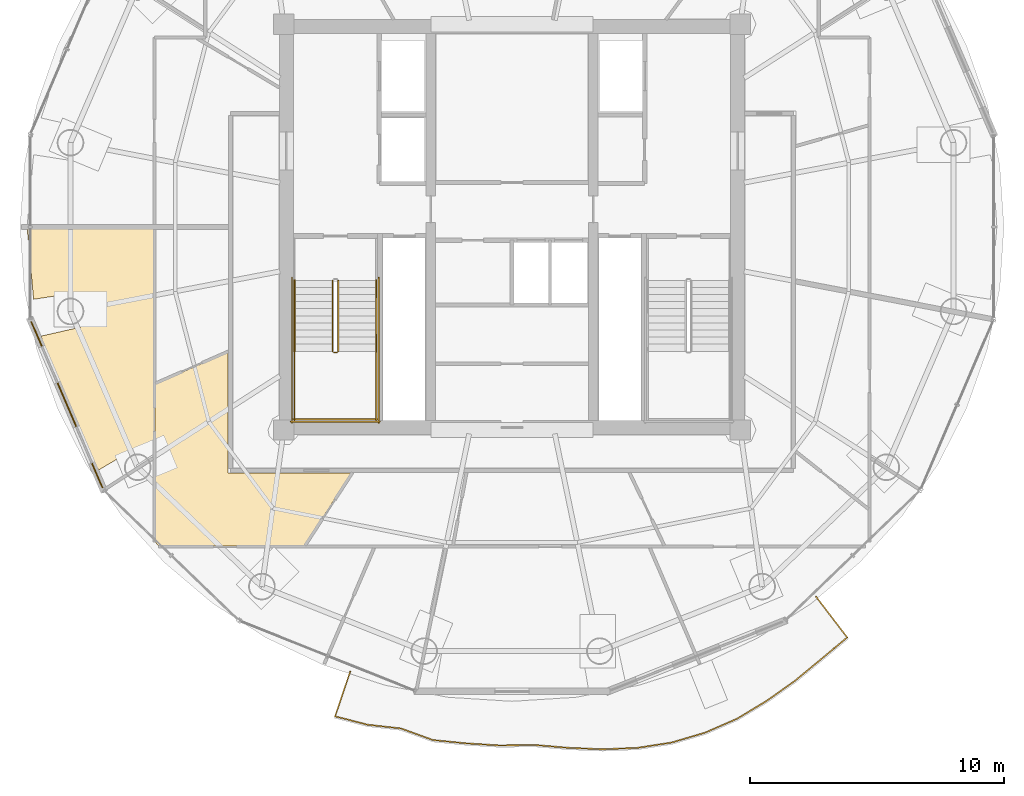
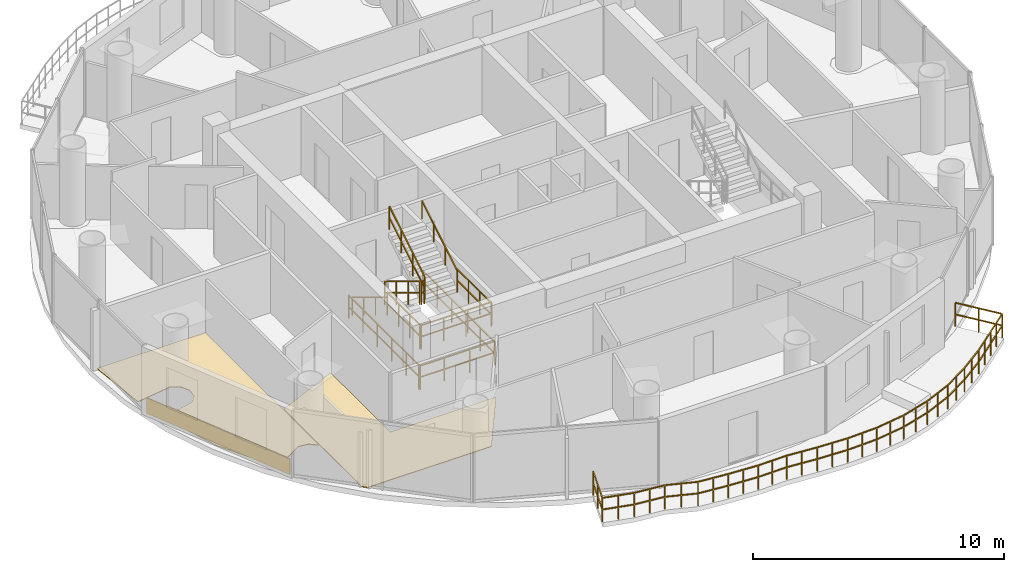
# One storey, part 21 of 23: 12 railings, 3 coverings.
"""IFC4 building model written with IfcOpenShell, lengths in metres."""

from ifc_helpers import new_model, si_unit, direction, frame, origin, origin_2d, place, context, subcontext, project, spatial, polyline, rectangle, outline, extrude, source, transform, mapped, material, layer, layer_set, type_object, element, save


model = new_model("IFC4")

# Units and contexts
model_context = context("Model", 3, precision=1e-05, world=origin(), true_north=direction((-0.2419218956, 0.970295726276)))
body_context = subcontext(model_context, "Body", "Model", "MODEL_VIEW")
ifc_project = project(units=[si_unit("LENGTHUNIT", "METRE"), si_unit("AREAUNIT", "SQUARE_METRE"), si_unit("VOLUMEUNIT", "CUBIC_METRE"), si_unit("PLANEANGLEUNIT", "RADIAN"), si_unit("MASSUNIT", "GRAM", prefix="KILO")], contexts=[model_context])

# Site, building, storey
site_placement = place(None, origin())
site = spatial("IfcSite", under=ifc_project, at=site_placement, CompositionType="ELEMENT")
building_placement = place(site_placement, origin())
building = spatial("IfcBuilding", under=site, at=building_placement, Name="Cobrevalo Terracotta Tower", CompositionType="ELEMENT")
storey_placement = place(building_placement, frame((0.0, 0.0, 296.949951171875)))
storey = spatial("IfcBuildingStorey", under=building, at=storey_placement, Name="L78", CompositionType="ELEMENT", Elevation=296.949951171875)

# Railing
ifc_material_1 = material(Name="Laminated structural glass and stainless steel", Category="steel")
railing_type_1 = type_object("IfcRailingType", Name="Balcony lobe structural glass & terracotta-cap balustrade 1180 mm", PredefinedType="BALUSTRADE", material=ifc_material_1)
railing_1_placement = place(storey_placement, frame((31.62109375, 9.276123046875, 0.0)))
element("IfcRailing", 1, at=railing_1_placement, inside=storey, type_object=railing_type_1, Name="L78 spiralling balcony lobe balustrade 2", PredefinedType="BALUSTRADE", context=body_context, shape_type="SweptSolid", body=[
    extrude(rectangle(XDim=0.048095703125, YDim=0.048095703125, at=origin_2d()), frame((0.0, 0.0, 1.15576171875), z_axis=(-0.320500509252, -0.947248343134, 0.0), x_axis=(0.947248343134, -0.320500509252, 0.0)), (0.0, 0.0, 1.0), 1.866943359375),
    extrude(rectangle(XDim=0.048095703125, YDim=0.048095703125, at=origin_2d()), frame((0.0, 0.0, 0.58984375), z_axis=(-0.320500509252, -0.947248343134, 0.0), x_axis=(0.947248343134, -0.320500509252, 0.0)), (0.0, 0.0, 1.0), 1.866943359375),
    extrude(rectangle(XDim=0.048095703125, YDim=0.048095703125, at=origin_2d()), frame((-0.598388671875, -1.7685546875, 1.15576171875), z_axis=(0.968112979066, -0.250513991153, 0.0), x_axis=(0.250513991153, 0.968112979066, 0.0)), (0.0, 0.0, 1.0), 1.323486328125),
    extrude(rectangle(XDim=0.048095703125, YDim=0.048095703125, at=origin_2d()), frame((-0.598388671875, -1.7685546875, 0.58984375), z_axis=(0.968112979066, -0.250513991153, 0.0), x_axis=(0.250513991153, 0.968112979066, 0.0)), (0.0, 0.0, 1.0), 1.323486328125),
    extrude(rectangle(XDim=0.048095703125, YDim=0.048095703125, at=origin_2d()), frame((0.682861328125, -2.10009765625, 1.15576171875), z_axis=(0.993777759576, -0.111381167941, 0.0), x_axis=(0.111381167941, 0.993777759576, 0.0)), (0.0, 0.0, 1.0), 1.326171875),
    extrude(rectangle(XDim=0.048095703125, YDim=0.048095703125, at=origin_2d()), frame((0.682861328125, -2.10009765625, 0.58984375), z_axis=(0.993777759576, -0.111381167941, 0.0), x_axis=(0.111381167941, 0.993777759576, 0.0)), (0.0, 0.0, 1.0), 1.326171875),
    extrude(rectangle(XDim=0.048095703125, YDim=0.048095703125, at=origin_2d()), frame((2.000732421875, -2.247802734375, 1.15576171875), z_axis=(0.940265849956, -0.340441083605, 0.0), x_axis=(0.340441083605, 0.940265849956, 0.0)), (0.0, 0.0, 1.0), 1.34033203125),
    extrude(rectangle(XDim=0.048095703125, YDim=0.048095703125, at=origin_2d()), frame((2.000732421875, -2.247802734375, 0.58984375), z_axis=(0.940265849956, -0.340441083605, 0.0), x_axis=(0.340441083605, 0.940265849956, 0.0)), (0.0, 0.0, 1.0), 1.34033203125),
    extrude(rectangle(XDim=0.048095703125, YDim=0.048095703125, at=origin_2d()), frame((3.260986328125, -2.7041015625, 1.15576171875), z_axis=(0.995062681065, -0.099248479847, 0.0), x_axis=(0.099248479847, 0.995062681065, 0.0)), (0.0, 0.0, 1.0), 1.325927734375),
    extrude(rectangle(XDim=0.048095703125, YDim=0.048095703125, at=origin_2d()), frame((3.260986328125, -2.7041015625, 0.58984375), z_axis=(0.995062681065, -0.099248479847, 0.0), x_axis=(0.099248479847, 0.995062681065, 0.0)), (0.0, 0.0, 1.0), 1.325927734375),
    extrude(rectangle(XDim=0.048095703125, YDim=0.048095703125, at=origin_2d()), frame((4.580322265625, -2.835693359375, 1.15576171875), z_axis=(0.998068281125, -0.06212653389, 0.0), x_axis=(0.06212653389, 0.998068281125, 0.0)), (0.0, 0.0, 1.0), 1.328369140625),
    extrude(rectangle(XDim=0.048095703125, YDim=0.048095703125, at=origin_2d()), frame((4.580322265625, -2.835693359375, 0.58984375), z_axis=(0.998068281125, -0.06212653389, 0.0), x_axis=(0.06212653389, 0.998068281125, 0.0)), (0.0, 0.0, 1.0), 1.328369140625),
    extrude(rectangle(XDim=0.048095703125, YDim=0.048095703125, at=origin_2d()), frame((5.906005859375, -2.918212890625, 1.15576171875), z_axis=(0.99985019426, 0.017308640564, 0.0), x_axis=(-0.017308640564, 0.99985019426, 0.0)), (0.0, 0.0, 1.0), 1.325927734375),
    extrude(rectangle(XDim=0.048095703125, YDim=0.048095703125, at=origin_2d()), frame((5.906005859375, -2.918212890625, 0.58984375), z_axis=(0.99985019426, 0.017308640564, 0.0), x_axis=(-0.017308640564, 0.99985019426, 0.0)), (0.0, 0.0, 1.0), 1.325927734375),
    extrude(rectangle(XDim=0.048095703125, YDim=0.048095703125, at=origin_2d()), frame((7.231689453125, -2.895263671875, 1.15576171875), z_axis=(0.996398332235, -0.084796011217, 0.0), x_axis=(0.084796011217, 0.996398332235, 0.0)), (0.0, 0.0, 1.0), 1.350341796875),
    extrude(rectangle(XDim=0.048095703125, YDim=0.048095703125, at=origin_2d()), frame((7.231689453125, -2.895263671875, 0.58984375), z_axis=(0.996398332235, -0.084796011217, 0.0), x_axis=(0.084796011217, 0.996398332235, 0.0)), (0.0, 0.0, 1.0), 1.350341796875),
    extrude(rectangle(XDim=0.048095703125, YDim=0.048095703125, at=origin_2d()), frame((8.5771484375, -3.009765625, 1.15576171875), z_axis=(0.999077969769, -0.04293262538, 0.0), x_axis=(0.04293262538, 0.999077969769, 0.0)), (0.0, 0.0, 1.0), 1.36474609375),
    extrude(rectangle(XDim=0.048095703125, YDim=0.048095703125, at=origin_2d()), frame((8.5771484375, -3.009765625, 0.58984375), z_axis=(0.999077969769, -0.04293262538, 0.0), x_axis=(0.04293262538, 0.999077969769, 0.0)), (0.0, 0.0, 1.0), 1.36474609375),
    extrude(rectangle(XDim=0.048095703125, YDim=0.048095703125, at=origin_2d()), frame((9.940673828125, -3.068359375, 1.15576171875), z_axis=(0.999209721933, 0.03974835335, 0.0), x_axis=(-0.03974835335, 0.999209721933, 0.0)), (0.0, 0.0, 1.0), 1.375732421875),
    extrude(rectangle(XDim=0.048095703125, YDim=0.048095703125, at=origin_2d()), frame((9.940673828125, -3.068359375, 0.58984375), z_axis=(0.999209721933, 0.03974835335, 0.0), x_axis=(-0.03974835335, 0.999209721933, 0.0)), (0.0, 0.0, 1.0), 1.375732421875),
    extrude(rectangle(XDim=0.048095703125, YDim=0.048095703125, at=origin_2d()), frame((11.3154296875, -3.013671875, 1.15576171875), z_axis=(0.988163219932, 0.153406162763, 0.0), x_axis=(-0.153406162763, 0.988163219932, 0.0)), (0.0, 0.0, 1.0), 1.37353515625),
    extrude(rectangle(XDim=0.048095703125, YDim=0.048095703125, at=origin_2d()), frame((11.3154296875, -3.013671875, 0.58984375), z_axis=(0.988163219932, 0.153406162763, 0.0), x_axis=(-0.153406162763, 0.988163219932, 0.0)), (0.0, 0.0, 1.0), 1.37353515625),
    extrude(rectangle(XDim=0.048095703125, YDim=0.048095703125, at=origin_2d()), frame((12.672607421875, -2.802978515625, 1.15576171875), z_axis=(0.958996855292, 0.283416710059, 0.0), x_axis=(-0.283416710059, 0.958996855292, 0.0)), (0.0, 0.0, 1.0), 1.3740234375),
    extrude(rectangle(XDim=0.048095703125, YDim=0.048095703125, at=origin_2d()), frame((12.672607421875, -2.802978515625, 0.58984375), z_axis=(0.958996855292, 0.283416710059, 0.0), x_axis=(-0.283416710059, 0.958996855292, 0.0)), (0.0, 0.0, 1.0), 1.3740234375),
    extrude(rectangle(XDim=0.048095703125, YDim=0.048095703125, at=origin_2d()), frame((13.990234375, -2.41357421875, 1.15576171875), z_axis=(0.916834798939, 0.39926676728, 0.0), x_axis=(-0.39926676728, 0.916834798939, 0.0)), (0.0, 0.0, 1.0), 1.370361328125),
    extrude(rectangle(XDim=0.048095703125, YDim=0.048095703125, at=origin_2d()), frame((13.990234375, -2.41357421875, 0.58984375), z_axis=(0.916834798939, 0.39926676728, 0.0), x_axis=(-0.39926676728, 0.916834798939, 0.0)), (0.0, 0.0, 1.0), 1.370361328125),
    extrude(rectangle(XDim=0.048095703125, YDim=0.048095703125, at=origin_2d()), frame((15.24658203125, -1.866455078125, 1.15576171875), z_axis=(0.856895522787, 0.515490119234, 0.0), x_axis=(-0.515490119234, 0.856895522787, 0.0)), (0.0, 0.0, 1.0), 1.37158203125),
    extrude(rectangle(XDim=0.048095703125, YDim=0.048095703125, at=origin_2d()), frame((15.24658203125, -1.866455078125, 0.58984375), z_axis=(0.856895522787, 0.515490119234, 0.0), x_axis=(-0.515490119234, 0.856895522787, 0.0)), (0.0, 0.0, 1.0), 1.37158203125),
    extrude(rectangle(XDim=0.048095703125, YDim=0.048095703125, at=origin_2d()), frame((16.421875, -1.159423828125, 1.15576171875), z_axis=(0.815378750342, 0.578927882806, 0.0), x_axis=(-0.578927882806, 0.815378750342, 0.0)), (0.0, 0.0, 1.0), 1.36083984375),
    extrude(rectangle(XDim=0.048095703125, YDim=0.048095703125, at=origin_2d()), frame((16.421875, -1.159423828125, 0.58984375), z_axis=(0.815378750342, 0.578927882806, 0.0), x_axis=(-0.578927882806, 0.815378750342, 0.0)), (0.0, 0.0, 1.0), 1.36083984375),
    extrude(rectangle(XDim=0.048095703125, YDim=0.048095703125, at=origin_2d()), frame((17.531494140625, -0.37158203125, 1.15576171875), z_axis=(0.771011872794, 0.636820769143, 0.0), x_axis=(-0.636820769143, 0.771011872794, 0.0)), (0.0, 0.0, 1.0), 1.351806640625),
    extrude(rectangle(XDim=0.048095703125, YDim=0.048095703125, at=origin_2d()), frame((17.531494140625, -0.37158203125, 0.58984375), z_axis=(0.771011872794, 0.636820769143, 0.0), x_axis=(-0.636820769143, 0.771011872794, 0.0)), (0.0, 0.0, 1.0), 1.351806640625),
    extrude(rectangle(XDim=0.048095703125, YDim=0.048095703125, at=origin_2d()), frame((18.57373046875, 0.4892578125, 1.15576171875), z_axis=(0.768671775089, 0.639643417993, 0.0), x_axis=(-0.639643417993, 0.768671775089, 0.0)), (0.0, 0.0, 1.0), 1.33203125),
    extrude(rectangle(XDim=0.048095703125, YDim=0.048095703125, at=origin_2d()), frame((18.57373046875, 0.4892578125, 0.58984375), z_axis=(0.768671775089, 0.639643417993, 0.0), x_axis=(-0.639643417993, 0.768671775089, 0.0)), (0.0, 0.0, 1.0), 1.33203125),
    extrude(rectangle(XDim=0.048095703125, YDim=0.048095703125, at=origin_2d()), frame((19.59765625, 1.34130859375, 1.15576171875), z_axis=(-0.607418867432, 0.794381721521, 0.0), x_axis=(-0.794381721521, -0.607418867432, 0.0)), (0.0, 0.0, 1.0), 2.030517578125),
    extrude(rectangle(XDim=0.048095703125, YDim=0.048095703125, at=origin_2d()), frame((19.59765625, 1.34130859375, 0.58984375), z_axis=(-0.607418867432, 0.794381721521, 0.0), x_axis=(-0.794381721521, -0.607418867432, 0.0)), (0.0, 0.0, 1.0), 2.030517578125),
    extrude(rectangle(XDim=0.0419921875, YDim=0.0419921875, at=origin_2d()), origin(), (0.0, 0.0, 1.0), 1.1318359375),
    extrude(rectangle(XDim=0.0419921875, YDim=0.0419921875, at=origin_2d()), frame((-0.29931640625, -0.88427734375, 0.0)), (0.0, 0.0, 1.0), 1.1318359375),
    extrude(rectangle(XDim=0.0419921875, YDim=0.0419921875, at=origin_2d()), frame((-0.598388671875, -1.7685546875, 0.0)), (0.0, 0.0, 1.0), 1.1318359375),
    extrude(rectangle(XDim=0.0419921875, YDim=0.0419921875, at=origin_2d()), frame((0.042236328125, -1.934326171875, 0.0)), (0.0, 0.0, 1.0), 1.1318359375),
    extrude(rectangle(XDim=0.0419921875, YDim=0.0419921875, at=origin_2d()), frame((0.682861328125, -2.10009765625, 0.0)), (0.0, 0.0, 1.0), 1.1318359375),
    extrude(rectangle(XDim=0.0419921875, YDim=0.0419921875, at=origin_2d()), frame((1.341796875, -2.173828125, 0.0)), (0.0, 0.0, 1.0), 1.1318359375),
    extrude(rectangle(XDim=0.0419921875, YDim=0.0419921875, at=origin_2d()), frame((2.000732421875, -2.247802734375, 0.0)), (0.0, 0.0, 1.0), 1.1318359375),
    extrude(rectangle(XDim=0.0419921875, YDim=0.0419921875, at=origin_2d()), frame((2.630859375, -2.47607421875, 0.0)), (0.0, 0.0, 1.0), 1.1318359375),
    extrude(rectangle(XDim=0.0419921875, YDim=0.0419921875, at=origin_2d()), frame((3.260986328125, -2.7041015625, 0.0)), (0.0, 0.0, 1.0), 1.1318359375),
    extrude(rectangle(XDim=0.0419921875, YDim=0.0419921875, at=origin_2d()), frame((3.920654296875, -2.77001953125, 0.0)), (0.0, 0.0, 1.0), 1.1318359375),
    extrude(rectangle(XDim=0.0419921875, YDim=0.0419921875, at=origin_2d()), frame((4.580322265625, -2.835693359375, 0.0)), (0.0, 0.0, 1.0), 1.1318359375),
    extrude(rectangle(XDim=0.0419921875, YDim=0.0419921875, at=origin_2d()), frame((5.2431640625, -2.876953125, 0.0)), (0.0, 0.0, 1.0), 1.1318359375),
    extrude(rectangle(XDim=0.0419921875, YDim=0.0419921875, at=origin_2d()), frame((5.906005859375, -2.918212890625, 0.0)), (0.0, 0.0, 1.0), 1.1318359375),
    extrude(rectangle(XDim=0.0419921875, YDim=0.0419921875, at=origin_2d()), frame((6.56884765625, -2.90673828125, 0.0)), (0.0, 0.0, 1.0), 1.1318359375),
    extrude(rectangle(XDim=0.0419921875, YDim=0.0419921875, at=origin_2d()), frame((7.231689453125, -2.895263671875, 0.0)), (0.0, 0.0, 1.0), 1.1318359375),
    extrude(rectangle(XDim=0.0419921875, YDim=0.0419921875, at=origin_2d()), frame((7.904296875, -2.95263671875, 0.0)), (0.0, 0.0, 1.0), 1.1318359375),
    extrude(rectangle(XDim=0.0419921875, YDim=0.0419921875, at=origin_2d()), frame((8.5771484375, -3.009765625, 0.0)), (0.0, 0.0, 1.0), 1.1318359375),
    extrude(rectangle(XDim=0.0419921875, YDim=0.0419921875, at=origin_2d()), frame((9.2587890625, -3.0390625, 0.0)), (0.0, 0.0, 1.0), 1.1318359375),
    extrude(rectangle(XDim=0.0419921875, YDim=0.0419921875, at=origin_2d()), frame((9.940673828125, -3.068359375, 0.0)), (0.0, 0.0, 1.0), 1.1318359375),
    extrude(rectangle(XDim=0.0419921875, YDim=0.0419921875, at=origin_2d()), frame((10.6279296875, -3.041015625, 0.0)), (0.0, 0.0, 1.0), 1.1318359375),
    extrude(rectangle(XDim=0.0419921875, YDim=0.0419921875, at=origin_2d()), frame((11.3154296875, -3.013671875, 0.0)), (0.0, 0.0, 1.0), 1.1318359375),
    extrude(rectangle(XDim=0.0419921875, YDim=0.0419921875, at=origin_2d()), frame((11.994140625, -2.908203125, 0.0)), (0.0, 0.0, 1.0), 1.1318359375),
    extrude(rectangle(XDim=0.0419921875, YDim=0.0419921875, at=origin_2d()), frame((12.672607421875, -2.802978515625, 0.0)), (0.0, 0.0, 1.0), 1.1318359375),
    extrude(rectangle(XDim=0.0419921875, YDim=0.0419921875, at=origin_2d()), frame((13.33154296875, -2.6083984375, 0.0)), (0.0, 0.0, 1.0), 1.1318359375),
    extrude(rectangle(XDim=0.0419921875, YDim=0.0419921875, at=origin_2d()), frame((13.990234375, -2.41357421875, 0.0)), (0.0, 0.0, 1.0), 1.1318359375),
    extrude(rectangle(XDim=0.0419921875, YDim=0.0419921875, at=origin_2d()), frame((14.618408203125, -2.14013671875, 0.0)), (0.0, 0.0, 1.0), 1.1318359375),
    extrude(rectangle(XDim=0.0419921875, YDim=0.0419921875, at=origin_2d()), frame((15.24658203125, -1.866455078125, 0.0)), (0.0, 0.0, 1.0), 1.1318359375),
    extrude(rectangle(XDim=0.0419921875, YDim=0.0419921875, at=origin_2d()), frame((15.834228515625, -1.512939453125, 0.0)), (0.0, 0.0, 1.0), 1.1318359375),
    extrude(rectangle(XDim=0.0419921875, YDim=0.0419921875, at=origin_2d()), frame((16.421875, -1.159423828125, 0.0)), (0.0, 0.0, 1.0), 1.1318359375),
    extrude(rectangle(XDim=0.0419921875, YDim=0.0419921875, at=origin_2d()), frame((16.9765625, -0.765625, 0.0)), (0.0, 0.0, 1.0), 1.1318359375),
    extrude(rectangle(XDim=0.0419921875, YDim=0.0419921875, at=origin_2d()), frame((17.531494140625, -0.37158203125, 0.0)), (0.0, 0.0, 1.0), 1.1318359375),
    extrude(rectangle(XDim=0.0419921875, YDim=0.0419921875, at=origin_2d()), frame((18.052734375, 0.058837890625, 0.0)), (0.0, 0.0, 1.0), 1.1318359375),
    extrude(rectangle(XDim=0.0419921875, YDim=0.0419921875, at=origin_2d()), frame((18.57373046875, 0.4892578125, 0.0)), (0.0, 0.0, 1.0), 1.1318359375),
    extrude(rectangle(XDim=0.0419921875, YDim=0.0419921875, at=origin_2d()), frame((19.085693359375, 0.915283203125, 0.0)), (0.0, 0.0, 1.0), 1.1318359375),
    extrude(rectangle(XDim=0.0419921875, YDim=0.0419921875, at=origin_2d()), frame((19.59765625, 1.34130859375, 0.0)), (0.0, 0.0, 1.0), 1.1318359375),
    extrude(rectangle(XDim=0.0419921875, YDim=0.0419921875, at=origin_2d()), frame((18.98095703125, 2.14794921875, 0.0)), (0.0, 0.0, 1.0), 1.1318359375),
    extrude(rectangle(XDim=0.0419921875, YDim=0.0419921875, at=origin_2d()), frame((18.3642578125, 2.954345703125, 0.0)), (0.0, 0.0, 1.0), 1.1318359375),
])

# Coverings
ifc_material_2 = material(Name="Engineered Brazilian hardwood flooring", Category="wood")
ifc_layer_1 = layer(ifc_material_2, 0.028076171875)
ifc_layer_set_1 = layer_set([ifc_layer_1], Name="Engineered Brazilian hardwood flooring")
covering_type_1 = type_object("IfcCoveringType", Name="Engineered Hardwood Suite Flooring 28", PredefinedType="FLOORING", material=ifc_layer_set_1)
covering_1_placement = place(storey_placement, origin())
element("IfcCovering", 2, at=covering_1_placement, inside=storey, type_object=covering_type_1, Name="Flat L78B Living and Dining Room floor finish", PredefinedType="FLOORING", context=body_context, shape_type="SweptSolid", body=[
    extrude(outline(polyline([(20.33544921875, 19.751220703125), (19.43505859375, 22.49951171875), (20.99755859375, 22.855224609375), (21.272705078125, 23.185302734375), (21.318115234375, 23.612548828125), (21.118408203125, 23.9931640625), (20.740966796875, 24.198486328125), (19.1357421875, 23.948974609375), (18.88134765625, 26.780029296875), (23.875, 26.780029296875), (23.875, 17.726318359375), (23.537109375, 18.005859375), (23.1103515625, 18.055908203125), (21.699951171875, 17.217529296875), (20.33544921875, 19.751220703125)])), origin(), (0.0, 0.0, 1.0), 0.030029296875),
])
ifc_material_3 = material(Name="Honed terracotta and granite tile", Category="masonry")
ifc_layer_2 = layer(ifc_material_3, 0.034912109375)
ifc_layer_set_2 = layer_set([ifc_layer_2], Name="Honed terracotta and granite tile")
covering_type_2 = type_object("IfcCoveringType", Name="Honed Terracotta & Granite Interior Flooring 35", PredefinedType="FLOORING", material=ifc_layer_set_2)
covering_2_placement = place(storey_placement, origin())
element("IfcCovering", 3, at=covering_2_placement, inside=storey, type_object=covering_type_2, Name="Flat L78B Apartment Entrance Hall floor finish", PredefinedType="FLOORING", context=body_context, shape_type="SweptSolid", body=[
    extrude(outline(polyline([(23.9150390625, 14.39599609375), (23.9150390625, 20.599853515625), (26.794921875, 21.863037109375), (26.794921875, 17.094970703125), (31.66943359375, 17.094970703125), (29.798095703125, 14.215087890625), (24.079833984375, 14.215087890625), (23.9150390625, 14.39599609375)])), origin(), (0.0, 0.0, 1.0), 0.030029296875),
])

# Railings
ifc_material_4 = material(Name="Brushed stainless steel", Category="steel")
railing_type_2 = type_object("IfcRailingType", Name="Stainless Steel Stair Handrail 900", PredefinedType="HANDRAIL", material=ifc_material_4)
railing_2_placement = place(storey_placement, frame((29.425048828125, 24.699951171875, 0.17041015625)))
element("IfcRailing", 4, at=railing_2_placement, inside=storey, type_object=railing_type_2, Name="L78 ST-1 stair handrail 1", PredefinedType="HANDRAIL", context=body_context, shape_type="SweptSolid", body=[
    extrude(rectangle(XDim=0.048095703125, YDim=0.048095703125, at=origin_2d()), frame((0.0, 0.0, 0.8759765625), z_axis=(0.0, -0.854169791009, 0.51999420009), x_axis=(1.0, 0.0, 0.0)), (0.0, 0.0, 1.0), 3.278076171875),
    extrude(rectangle(XDim=0.0419921875, YDim=0.0419921875, at=origin_2d()), origin(), (0.0, 0.0, 1.0), 0.851806640625),
    extrude(rectangle(XDim=0.0419921875, YDim=0.0419921875, at=origin_2d()), frame((0.0, -0.933349609375, 0.568115234375)), (0.0, 0.0, 1.0), 0.851806640625),
    extrude(rectangle(XDim=0.0419921875, YDim=0.0419921875, at=origin_2d()), frame((0.0, -1.86669921875, 1.136474609375)), (0.0, 0.0, 1.0), 0.851806640625),
    extrude(rectangle(XDim=0.0419921875, YDim=0.0419921875, at=origin_2d()), frame((0.0, -2.800048828125, 1.70458984375)), (0.0, 0.0, 1.0), 0.851806640625),
])
railing_3_placement = place(storey_placement, frame((32.64501953125, 21.89990234375, 2.04541015625)))
element("IfcRailing", 5, at=railing_3_placement, inside=storey, type_object=railing_type_2, Name="L78 ST-1 stair handrail 2", PredefinedType="HANDRAIL", context=body_context, shape_type="SweptSolid", body=[
    extrude(rectangle(XDim=0.048095703125, YDim=0.048095703125, at=origin_2d()), frame((0.0, 0.0, 0.8759765625), z_axis=(0.0, 0.854169791009, 0.51999420009), x_axis=(-1.0, 0.0, 0.0)), (0.0, 0.0, 1.0), 3.278076171875),
    extrude(rectangle(XDim=0.0419921875, YDim=0.0419921875, at=origin_2d()), origin(), (0.0, 0.0, 1.0), 0.851806640625),
    extrude(rectangle(XDim=0.0419921875, YDim=0.0419921875, at=origin_2d()), frame((0.0, 0.933349609375, 0.568115234375)), (0.0, 0.0, 1.0), 0.851806640625),
    extrude(rectangle(XDim=0.0419921875, YDim=0.0419921875, at=origin_2d()), frame((0.0, 1.86669921875, 1.136474609375)), (0.0, 0.0, 1.0), 0.851806640625),
    extrude(rectangle(XDim=0.0419921875, YDim=0.0419921875, at=origin_2d()), frame((0.0, 2.800048828125, 1.70458984375)), (0.0, 0.0, 1.0), 0.851806640625),
])
ifc_material_5 = material(Name="Painted galvanized steel", Category="steel")
railing_type_3 = type_object("IfcRailingType", Name="Stair Well Guard Balustrade 1150", PredefinedType="GUARDRAIL", material=ifc_material_5)
railing_4_placement = place(storey_placement, frame((30.925048828125, 24.699951171875, 0.17041015625)))
element("IfcRailing", 6, at=railing_4_placement, inside=storey, type_object=railing_type_3, Name="L78 ST-1 stair guard 1", PredefinedType="GUARDRAIL", context=body_context, shape_type="SweptSolid", body=[
    extrude(rectangle(XDim=0.048095703125, YDim=0.048095703125, at=origin_2d()), frame((0.0, 0.0, 1.1259765625), z_axis=(0.0, -0.854169791009, 0.51999420009), x_axis=(1.0, 0.0, 0.0)), (0.0, 0.0, 1.0), 3.278076171875),
    extrude(rectangle(XDim=0.048095703125, YDim=0.048095703125, at=origin_2d()), frame((0.0, 0.0, 0.574951171875), z_axis=(0.0, -0.854169791009, 0.51999420009), x_axis=(1.0, 0.0, 0.0)), (0.0, 0.0, 1.0), 3.278076171875),
    extrude(rectangle(XDim=0.0419921875, YDim=0.0419921875, at=origin_2d()), origin(), (0.0, 0.0, 1.0), 1.101806640625),
    extrude(rectangle(XDim=0.0419921875, YDim=0.0419921875, at=origin_2d()), frame((0.0, -0.933349609375, 0.568115234375)), (0.0, 0.0, 1.0), 1.101806640625),
    extrude(rectangle(XDim=0.0419921875, YDim=0.0419921875, at=origin_2d()), frame((0.0, -1.86669921875, 1.136474609375)), (0.0, 0.0, 1.0), 1.101806640625),
    extrude(rectangle(XDim=0.0419921875, YDim=0.0419921875, at=origin_2d()), frame((0.0, -2.800048828125, 1.70458984375)), (0.0, 0.0, 1.0), 1.101806640625),
])
railing_5_placement = place(storey_placement, frame((30.97509765625, 21.85009765625, 1.875)))
element("IfcRailing", 7, at=railing_5_placement, inside=storey, type_object=railing_type_3, Name="L78 ST-1 stair guard 2", PredefinedType="GUARDRAIL", context=body_context, shape_type="SweptSolid", body=[
    extrude(rectangle(XDim=0.048095703125, YDim=0.048095703125, at=origin_2d()), frame((0.0, 0.0, 1.1259765625), z_axis=(1.0, 0.0, 0.0), x_axis=(0.0, 1.0, 0.0)), (0.0, 0.0, 1.0), 0.119873046875),
    extrude(rectangle(XDim=0.048095703125, YDim=0.048095703125, at=origin_2d()), frame((0.0, 0.0, 0.574951171875), z_axis=(1.0, 0.0, 0.0), x_axis=(0.0, 1.0, 0.0)), (0.0, 0.0, 1.0), 0.119873046875),
    extrude(rectangle(XDim=0.0419921875, YDim=0.0419921875, at=origin_2d()), origin(), (0.0, 0.0, 1.0), 1.101806640625),
    extrude(rectangle(XDim=0.0419921875, YDim=0.0419921875, at=origin_2d()), frame((0.119873046875, 0.0, 0.0)), (0.0, 0.0, 1.0), 1.101806640625),
])
for number, where, name in (
    (8, (29.425048828125, 21.89990234375, 1.875), "L78 ST-1 stair guard 3"),
    (9, (32.64501953125, 21.89990234375, 1.875), "L78 ST-1 stair guard 4"),
):
    element("IfcRailing", number, at=place(storey_placement, frame(where)), inside=storey, type_object=railing_type_3, Name=name, PredefinedType="GUARDRAIL", context=body_context, shape_type="SweptSolid", body=[
        extrude(rectangle(XDim=0.048095703125, YDim=0.048095703125, at=origin_2d()), frame((0.0, 0.0, 1.1259765625), z_axis=(0.0, -1.0, 0.0), x_axis=(1.0, 0.0, 0.0)), (0.0, 0.0, 1.0), 2.724853515625),
        extrude(rectangle(XDim=0.048095703125, YDim=0.048095703125, at=origin_2d()), frame((0.0, 0.0, 0.574951171875), z_axis=(0.0, -1.0, 0.0), x_axis=(1.0, 0.0, 0.0)), (0.0, 0.0, 1.0), 2.724853515625),
        extrude(rectangle(XDim=0.0419921875, YDim=0.0419921875, at=origin_2d()), origin(), (0.0, 0.0, 1.0), 1.101806640625),
        extrude(rectangle(XDim=0.0419921875, YDim=0.0419921875, at=origin_2d()), frame((0.0, -0.908203125, 0.0)), (0.0, 0.0, 1.0), 1.101806640625),
        extrude(rectangle(XDim=0.0419921875, YDim=0.0419921875, at=origin_2d()), frame((0.0, -1.816650390625, 0.0)), (0.0, 0.0, 1.0), 1.101806640625),
        extrude(rectangle(XDim=0.0419921875, YDim=0.0419921875, at=origin_2d()), frame((0.0, -2.724853515625, 0.0)), (0.0, 0.0, 1.0), 1.101806640625),
    ])
railing_6_placement = place(storey_placement, frame((29.375, 19.22509765625, 1.875)))
element("IfcRailing", 10, at=railing_6_placement, inside=storey, type_object=railing_type_3, Name="L78 ST-1 stair guard 5", PredefinedType="GUARDRAIL", context=body_context, shape_type="SweptSolid", body=[
    extrude(rectangle(XDim=0.048095703125, YDim=0.048095703125, at=origin_2d()), frame((0.0, 0.0, 1.1259765625), z_axis=(1.0, 0.0, 0.0), x_axis=(0.0, 1.0, 0.0)), (0.0, 0.0, 1.0), 3.320068359375),
    extrude(rectangle(XDim=0.048095703125, YDim=0.048095703125, at=origin_2d()), frame((0.0, 0.0, 0.574951171875), z_axis=(1.0, 0.0, 0.0), x_axis=(0.0, 1.0, 0.0)), (0.0, 0.0, 1.0), 3.320068359375),
    extrude(rectangle(XDim=0.0419921875, YDim=0.0419921875, at=origin_2d()), origin(), (0.0, 0.0, 1.0), 1.101806640625),
    extrude(rectangle(XDim=0.0419921875, YDim=0.0419921875, at=origin_2d()), frame((1.106689453125, 0.0, 0.0)), (0.0, 0.0, 1.0), 1.101806640625),
    extrude(rectangle(XDim=0.0419921875, YDim=0.0419921875, at=origin_2d()), frame((2.21337890625, 0.0, 0.0)), (0.0, 0.0, 1.0), 1.101806640625),
    extrude(rectangle(XDim=0.0419921875, YDim=0.0419921875, at=origin_2d()), frame((3.320068359375, 0.0, 0.0)), (0.0, 0.0, 1.0), 1.101806640625),
])
railing_7_placement = place(storey_placement, frame((31.14501953125, 21.89990234375, 2.04541015625)))
element("IfcRailing", 11, at=railing_7_placement, inside=storey, type_object=railing_type_3, Name="L78 ST-1 stair guard 6", PredefinedType="GUARDRAIL", context=body_context, shape_type="SweptSolid", body=[
    extrude(rectangle(XDim=0.048095703125, YDim=0.048095703125, at=origin_2d()), frame((0.0, 0.0, 1.1259765625), z_axis=(0.0, 0.854169791009, 0.51999420009), x_axis=(-1.0, 0.0, 0.0)), (0.0, 0.0, 1.0), 3.278076171875),
    extrude(rectangle(XDim=0.048095703125, YDim=0.048095703125, at=origin_2d()), frame((0.0, 0.0, 0.574951171875), z_axis=(0.0, 0.854169791009, 0.51999420009), x_axis=(-1.0, 0.0, 0.0)), (0.0, 0.0, 1.0), 3.278076171875),
    extrude(rectangle(XDim=0.0419921875, YDim=0.0419921875, at=origin_2d()), origin(), (0.0, 0.0, 1.0), 1.101806640625),
    extrude(rectangle(XDim=0.0419921875, YDim=0.0419921875, at=origin_2d()), frame((0.0, 0.933349609375, 0.568115234375)), (0.0, 0.0, 1.0), 1.101806640625),
    extrude(rectangle(XDim=0.0419921875, YDim=0.0419921875, at=origin_2d()), frame((0.0, 1.86669921875, 1.136474609375)), (0.0, 0.0, 1.0), 1.101806640625),
    extrude(rectangle(XDim=0.0419921875, YDim=0.0419921875, at=origin_2d()), frame((0.0, 2.800048828125, 1.70458984375)), (0.0, 0.0, 1.0), 1.101806640625),
])
for number, where, name in (
    (12, (29.324951171875, 24.800048828125, 0.0), "L78 ST-1 stair guard 10"),
    (13, (32.7451171875, 24.800048828125, 0.0), "L78 ST-1 stair guard 11"),
):
    element("IfcRailing", number, at=place(storey_placement, frame(where)), inside=storey, type_object=railing_type_3, Name=name, PredefinedType="GUARDRAIL", context=body_context, shape_type="SweptSolid", body=[
        extrude(rectangle(XDim=0.048095703125, YDim=0.048095703125, at=origin_2d()), frame((0.0, 0.0, 1.1259765625), z_axis=(0.0, -1.0, 0.0), x_axis=(1.0, 0.0, 0.0)), (0.0, 0.0, 1.0), 5.72509765625),
        extrude(rectangle(XDim=0.048095703125, YDim=0.048095703125, at=origin_2d()), frame((0.0, 0.0, 0.574951171875), z_axis=(0.0, -1.0, 0.0), x_axis=(1.0, 0.0, 0.0)), (0.0, 0.0, 1.0), 5.72509765625),
        extrude(rectangle(XDim=0.0419921875, YDim=0.0419921875, at=origin_2d()), origin(), (0.0, 0.0, 1.0), 1.101806640625),
        extrude(rectangle(XDim=0.0419921875, YDim=0.0419921875, at=origin_2d()), frame((0.0, -1.14501953125, 0.0)), (0.0, 0.0, 1.0), 1.101806640625),
        extrude(rectangle(XDim=0.0419921875, YDim=0.0419921875, at=origin_2d()), frame((0.0, -2.2900390625, 0.0)), (0.0, 0.0, 1.0), 1.101806640625),
        extrude(rectangle(XDim=0.0419921875, YDim=0.0419921875, at=origin_2d()), frame((0.0, -3.43505859375, 0.0)), (0.0, 0.0, 1.0), 1.101806640625),
        extrude(rectangle(XDim=0.0419921875, YDim=0.0419921875, at=origin_2d()), frame((0.0, -4.580078125, 0.0)), (0.0, 0.0, 1.0), 1.101806640625),
        extrude(rectangle(XDim=0.0419921875, YDim=0.0419921875, at=origin_2d()), frame((0.0, -5.72509765625, 0.0)), (0.0, 0.0, 1.0), 1.101806640625),
    ])
railing_8_placement = place(storey_placement, frame((29.27490234375, 19.125, 0.0)))
element("IfcRailing", 14, at=railing_8_placement, inside=storey, type_object=railing_type_3, Name="L78 ST-1 stair guard 12", PredefinedType="GUARDRAIL", context=body_context, shape_type="SweptSolid", body=[
    extrude(rectangle(XDim=0.048095703125, YDim=0.048095703125, at=origin_2d()), frame((0.0, 0.0, 1.1259765625), z_axis=(1.0, 0.0, 0.0), x_axis=(0.0, 1.0, 0.0)), (0.0, 0.0, 1.0), 3.52001953125),
    extrude(rectangle(XDim=0.048095703125, YDim=0.048095703125, at=origin_2d()), frame((0.0, 0.0, 0.574951171875), z_axis=(1.0, 0.0, 0.0), x_axis=(0.0, 1.0, 0.0)), (0.0, 0.0, 1.0), 3.52001953125),
    extrude(rectangle(XDim=0.0419921875, YDim=0.0419921875, at=origin_2d()), origin(), (0.0, 0.0, 1.0), 1.101806640625),
    extrude(rectangle(XDim=0.0419921875, YDim=0.0419921875, at=origin_2d()), frame((1.17333984375, 0.0, 0.0)), (0.0, 0.0, 1.0), 1.101806640625),
    extrude(rectangle(XDim=0.0419921875, YDim=0.0419921875, at=origin_2d()), frame((2.3466796875, 0.0, 0.0)), (0.0, 0.0, 1.0), 1.101806640625),
    extrude(rectangle(XDim=0.0419921875, YDim=0.0419921875, at=origin_2d()), frame((3.52001953125, 0.0, 0.0)), (0.0, 0.0, 1.0), 1.101806640625),
])

# Covering
ifc_material_6 = material(Name="Glazed terracotta facade cladding tile", Category="masonry")
ifc_layer_3 = layer(ifc_material_6, 0.044921875)
ifc_layer_set_3 = layer_set([ifc_layer_3], Name="Glazed terracotta facade cladding tile")
covering_type_3 = type_object("IfcCoveringType", Name="Architectural terracotta rainscreen spandrel cladding 45 mm", PredefinedType="CLADDING", material=ifc_layer_set_3)
shared_shape = source(origin(), body_context, "Body", "SweptSolid", [
    extrude(rectangle(XDim=7.125244140625, YDim=0.044921875, at=origin_2d()), origin(), (0.0, 0.0, 1.0), 0.760009765625),
])
covering_3_placement = place(storey_placement, frame((20.4482421875, 19.79248046875, 0.0400390625), z_axis=(0.0, 0.0, 1.0), x_axis=(0.394828845134, -0.918754691444, 0.0)))
element("IfcCovering", 15, at=covering_3_placement, inside=storey, type_object=covering_type_3, Name="L78 terracotta spandrel cladding S09", PredefinedType="CLADDING", context=body_context, shape_type="MappedRepresentation", body=[
    mapped(shared_shape, transform((0.0, 0.0, 0.0), scale=1.0)),
])

save(model, "model.ifc")
